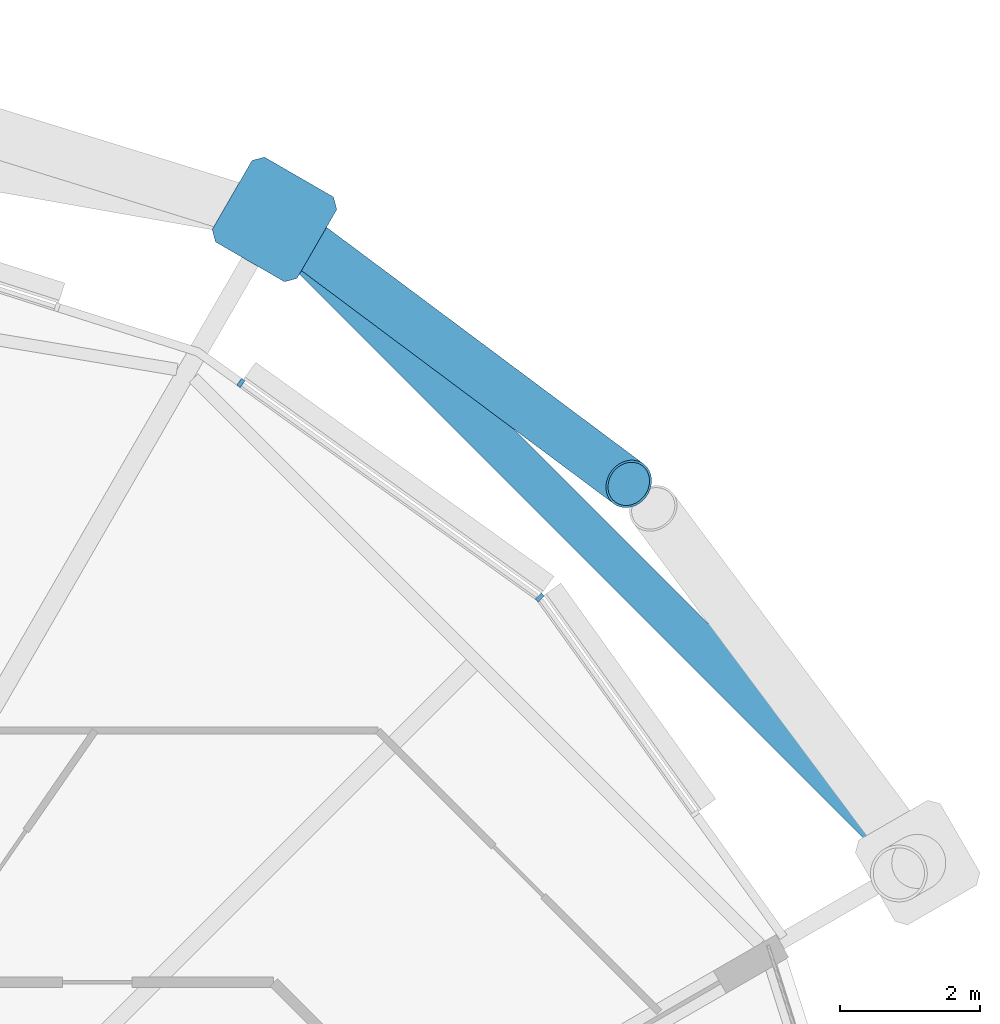
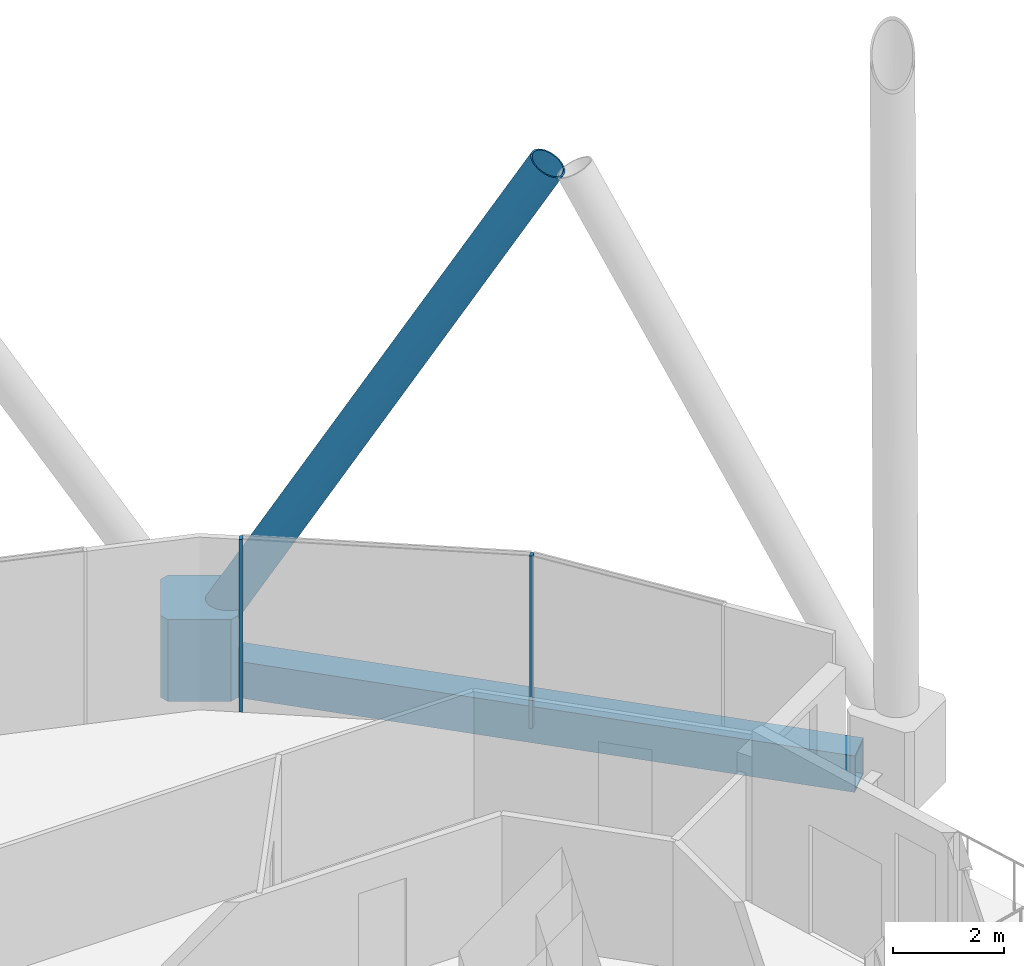
# One storey, part 25 of 39: 4 members, 1 beam, 1 element without a shape of its own.
"""IFC4 building model written with IfcOpenShell, lengths in metres."""

from ifc_helpers import new_model, si_unit, direction, frame, origin, origin_2d, place, context, subcontext, project, spatial, polyline, rectangle, hollow_rectangle, hollow_circle, outline, extrude, material, material_profile, profile_set, type_object, element, aggregate, save


model = new_model("IFC4")

# Units and contexts
model_context = context("Model", 3, precision=1e-05, world=origin(), true_north=direction((0.0, 1.0)))
body_context = subcontext(model_context, "Body", "Model", "MODEL_VIEW")
ifc_project = project(units=[si_unit("LENGTHUNIT", "METRE"), si_unit("AREAUNIT", "SQUARE_METRE"), si_unit("VOLUMEUNIT", "CUBIC_METRE"), si_unit("PLANEANGLEUNIT", "RADIAN"), si_unit("MASSUNIT", "GRAM", prefix="KILO")], contexts=[model_context])

# Site, building, storey
site_placement = place(None, origin())
site = spatial("IfcSite", under=ifc_project, at=site_placement, CompositionType="ELEMENT")
building_placement = place(site_placement, origin())
building = spatial("IfcBuilding", under=site, at=building_placement, Name="Rimbun Link Towers", CompositionType="ELEMENT")
storey_placement = place(building_placement, frame((0.0, 0.0, 115.800048828125)))
storey = spatial("IfcBuildingStorey", under=building, at=storey_placement, Name="L28", CompositionType="ELEMENT", Elevation=115.800048828125)

# Curtain wall, members
ifc_material_1 = material(Name="Aluminium 6063-T6 and low-iron glass", Category="aluminium")
curtain_wall_type = type_object("IfcCurtainWallType", Name="CW1-Z2 unitised vision wall (zone 2)", PredefinedType="NOTDEFINED", material=ifc_material_1)
curtain_wall_placement = place(storey_placement, origin())
curtain_wall = element("IfcCurtainWall", 1, at=curtain_wall_placement, inside=storey, type_object=curtain_wall_type, Name="CW1 L28 T2", PredefinedType="NOTDEFINED")
ifc_material_2 = material(Name="Aluminium 6063-T6", Category="aluminium")
ifc_material_profile_1 = material_profile(ifc_material_2, rectangle(XDim=0.1201171875, YDim=0.06005859375, at=origin_2d()), Name="MULLION 60X120")
ifc_profile_set_1 = profile_set([ifc_material_profile_1], Name="Aluminium 6063-T6")
member_type_1 = type_object("IfcMemberType", Name="CW1 mullion 60X120", PredefinedType="MULLION", material=ifc_profile_set_1)
member_1_placement = place(storey_placement, frame((43.832763671875, 19.42333984375, 0.0), z_axis=(0.0, 0.0, 1.0), x_axis=(0.583004026034, 0.812469264421, 0.0)))
member_1 = element("IfcMember", 2, at=member_1_placement, type_object=member_type_1, Name="CW1 mullion", PredefinedType="MULLION", context=body_context, shape_type="SweptSolid", body=[
    extrude(rectangle(XDim=0.1201171875, YDim=0.06005859375, at=origin_2d()), origin(), (0.0, 0.0, 1.0), 3.800048828125),
])
member_2_placement = place(storey_placement, frame((48.10595703125, 16.35595703125, 0.0), z_axis=(0.0, 0.0, 1.0), x_axis=(0.707106781187, 0.707106781187, 0.0)))
member_2 = element("IfcMember", 3, at=member_2_placement, type_object=member_type_1, Name="CW1 mullion", PredefinedType="MULLION", context=body_context, shape_type="SweptSolid", body=[
    extrude(rectangle(XDim=0.1201171875, YDim=0.06005859375, at=origin_2d()), origin(), (0.0, 0.0, 1.0), 3.800048828125),
])
aggregate(curtain_wall, [member_1, member_2])

# Members
ifc_material_3 = material(Name="Steel S460NH", Category="steel")
ifc_material_profile_2 = material_profile(ifc_material_3, hollow_circle(Radius=0.355712890625, WallThickness=0.031982421875, at=origin_2d()), Name="Diagrid diagonal CHS 711x32")
ifc_profile_set_2 = profile_set([ifc_material_profile_2], Name="Steel S460NH")
member_type_2 = type_object("IfcMemberType", Name="Diagrid diagonal CHS 711x32", PredefinedType="BRACE", material=ifc_profile_set_2)
member_3_placement = place(storey_placement, frame((44.513427734375, 21.611083984375, 0.43310546875), z_axis=(0.400231497677, -0.298707794473, 0.866365051112), x_axis=(0.598119873199, 0.801406649139, 0.0)))
element("IfcMember", 4, at=member_3_placement, inside=storey, type_object=member_type_2, Name="Diagrid diagonal T2 L28-L31 01a", PredefinedType="BRACE", context=body_context, shape_type="SweptSolid", body=[
    extrude(hollow_circle(Radius=0.355712890625, WallThickness=0.031982421875, at=origin_2d()), origin(), (0.0, 0.0, 1.0), 12.158447265625),
])
ifc_material_4 = material(Name="Cast steel G20Mn5+QT, Rp0.2 300 MPa", Category="steel")
ifc_material_profile_3 = material_profile(ifc_material_4, outline(polyline([(0.699951171875, -0.570068359375), (0.699951171875, 0.570068359375), (0.570068359375, 0.699951171875), (-0.570068359375, 0.699951171875), (-0.699951171875, 0.570068359375), (-0.699951171875, -0.570068359375), (-0.570068359375, -0.699951171875), (0.570068359375, -0.699951171875), (0.699951171875, -0.570068359375)])), Name="NODE 1400x1400")
ifc_profile_set_3 = profile_set([ifc_material_profile_3], Name="Cast steel G20Mn5+QT, Rp0.2 300 MPa")
member_type_3 = type_object("IfcMemberType", Name="Diagrid node cast 1400", PredefinedType="USERDEFINED", material=ifc_profile_set_3)
member_4_placement = place(storey_placement, frame((44.3134765625, 21.760498046875, -0.900146484375), z_axis=(0.0, 0.0, 1.0), x_axis=(0.5, 0.866025403784, 0.0)))
element("IfcMember", 5, at=member_4_placement, inside=storey, type_object=member_type_3, Name="Diagrid node L28 01", ObjectType="Diagrid node", PredefinedType="USERDEFINED", context=body_context, shape_type="SweptSolid", body=[
    extrude(outline(polyline([(0.699951171875, -0.570068359375), (0.699951171875, 0.570068359375), (0.570068359375, 0.699951171875), (-0.570068359375, 0.699951171875), (-0.699951171875, 0.570068359375), (-0.699951171875, -0.570068359375), (-0.570068359375, -0.699951171875), (0.570068359375, -0.699951171875), (0.699951171875, -0.570068359375)])), origin(), (0.0, 0.0, 1.0), 1.800048828125),
])

# Beam
ifc_material_5 = material(Name="Steel S355J2", Category="steel")
ifc_material_profile_4 = material_profile(ifc_material_5, hollow_rectangle(XDim=0.60009765625, YDim=0.800048828125, WallThickness=0.0400390625, at=origin_2d()), Name="Exoskeleton ring girder BOX 600x800x40")
ifc_profile_set_4 = profile_set([ifc_material_profile_4], Name="Steel S355J2")
beam_type = type_object("IfcBeamType", Name="Exoskeleton ring girder BOX 600x800x40", PredefinedType="BEAM", material=ifc_profile_set_4)
beam_placement = place(storey_placement, frame((53.015380859375, 13.058349609375, -0.56005859375), z_axis=(-0.707106781187, 0.707106781187, 0.0), x_axis=(-0.707106781187, -0.707106781187, 0.0)))
element("IfcBeam", 6, at=beam_placement, inside=storey, type_object=beam_type, Name="Exoskeleton ring girder L28 09", PredefinedType="BEAM", context=body_context, shape_type="SweptSolid", body=[
    extrude(hollow_rectangle(XDim=0.60009765625, YDim=0.800048828125, WallThickness=0.0400390625, at=origin_2d()), origin(), (0.0, 0.0, 1.0), 11.6064453125),
])

save(model, "model.ifc")
